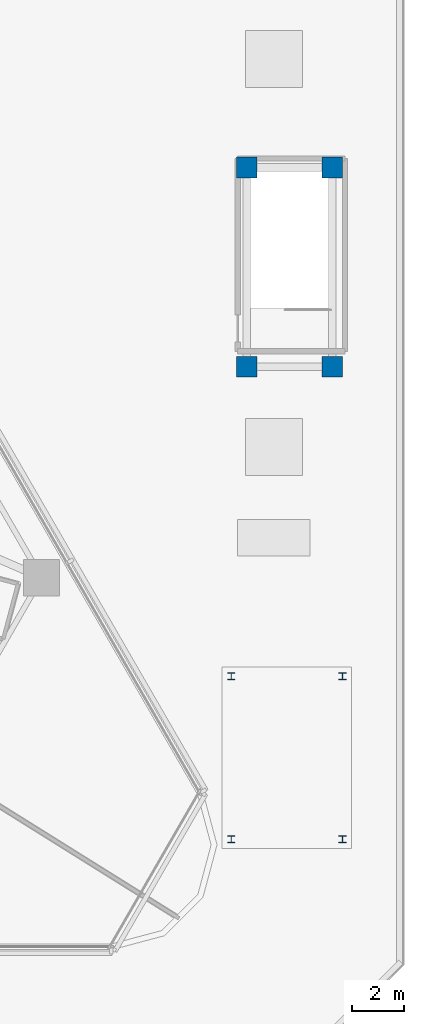
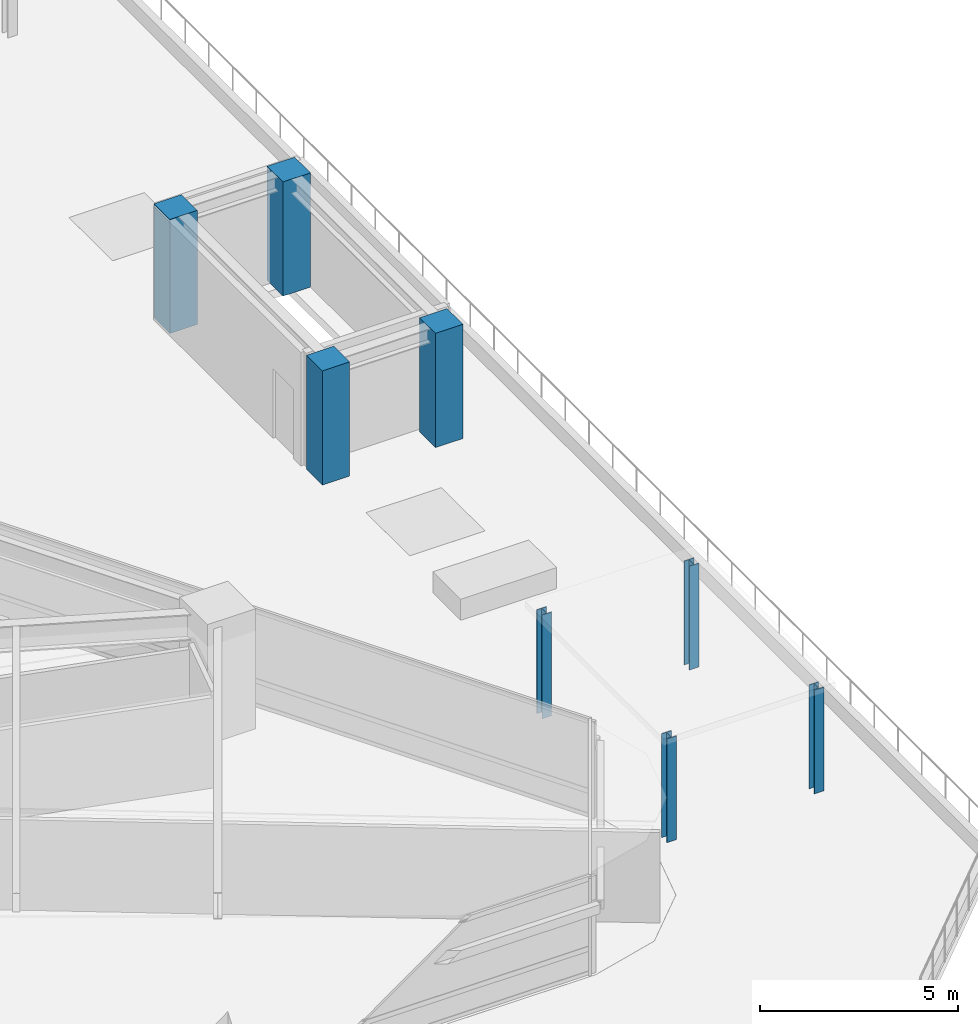
# One storey, part 5 of 23: 8 columns.
"""IFC4 building model written with IfcOpenShell, lengths in metres."""

from ifc_helpers import new_model, si_unit, direction, frame, origin, origin_2d, place, context, subcontext, project, spatial, rectangle, i_section, extrude, material, material_profile, profile_set, type_object, element, save


model = new_model("IFC4")

# Units and contexts
model_context = context("Model", 3, precision=1e-05, world=origin(), true_north=direction((0.0, 1.0)))
body_context = subcontext(model_context, "Body", "Model", "MODEL_VIEW")
ifc_project = project(units=[si_unit("LENGTHUNIT", "METRE"), si_unit("AREAUNIT", "SQUARE_METRE"), si_unit("VOLUMEUNIT", "CUBIC_METRE"), si_unit("PLANEANGLEUNIT", "RADIAN"), si_unit("MASSUNIT", "GRAM", prefix="KILO")], contexts=[model_context])

# Site, building, storey
site_placement = place(None, origin())
site = spatial("IfcSite", under=ifc_project, at=site_placement, CompositionType="ELEMENT")
building_placement = place(site_placement, origin())
building = spatial("IfcBuilding", under=site, at=building_placement, Name="Terralouvre Media Tower", CompositionType="ELEMENT")
storey_placement = place(building_placement, frame((0.0, 0.0, 26.0)))
storey = spatial("IfcBuildingStorey", under=building, at=storey_placement, Name="L05", CompositionType="ELEMENT", Elevation=26.0)

# Columns
ifc_material_1 = material(Name="Structural steel S355J2", Category="steel")
ifc_material_profile_1 = material_profile(ifc_material_1, i_section(OverallWidth=0.280029296875, OverallDepth=0.280029296875, WebThickness=0.010498046875, FlangeThickness=0.01806640625, at=origin_2d()), Name="HEB 280")
ifc_profile_set_1 = profile_set([ifc_material_profile_1], Name="Structural steel S355J2")
column_type_1 = type_object("IfcColumnType", Name="Basement Aisle Pilaster PL-HEB280 (HEB 280)", PredefinedType="PILASTER", material=ifc_profile_set_1)
for number, where, z_axis, x_axis, name in (
    (1, (30.35009765625, -14.64990234375, 0.0), (0.0, 0.0, 1.0), (1.0, 0.0, 0.0), "East Garden Terracotta Pergola Roof Support Post 1"),
    (2, (34.64990234375, -14.64990234375, 0.0), (0.0, 0.0, 1.0), (1.0, 0.0, 0.0), "East Garden Terracotta Pergola Roof Support Post 2"),
    (3, (34.64990234375, -8.35009765625, 0.0), (0.0, 0.0, 1.0), (1.0, 0.0, 0.0), "East Garden Terracotta Pergola Roof Support Post 3"),
    (4, (30.35009765625, -8.35009765625, 0.0), (0.0, 0.0, 1.0), (1.0, 0.0, 0.0), "East Garden Terracotta Pergola Roof Support Post 4"),
):
    element("IfcColumn", number, at=place(storey_placement, frame(where, z_axis=z_axis, x_axis=x_axis)), inside=storey, type_object=column_type_1, Name=name, PredefinedType="PILASTER", context=body_context, shape_type="SweptSolid", body=[
        extrude(i_section(OverallWidth=0.280029296875, OverallDepth=0.280029296875, WebThickness=0.010498046875, FlangeThickness=0.01806640625, at=origin_2d()), origin(), (0.0, 0.0, 1.0), 3.199951171875),
    ])
ifc_material_2 = material(Name="Concrete C50/60", Category="concrete")
ifc_material_profile_2 = material_profile(ifc_material_2, rectangle(XDim=0.800048828125, YDim=0.800048828125, at=origin_2d()), Name="RC 800x800")
ifc_profile_set_2 = profile_set([ifc_material_profile_2], Name="Concrete C50/60")
column_type_2 = type_object("IfcColumnType", Name="Structural Column C-RC800 (RC 800x800)", PredefinedType="COLUMN", material=ifc_profile_set_2)
for number, where, z_axis, x_axis, name in (
    (5, (30.949951171875, 3.60009765625, 0.0), (0.0, 0.0, 1.0), (1.0, 0.0, 0.0), "L05 Stair Pavilion Support Column ST4C1"),
    (6, (34.25, 3.60009765625, 0.0), (0.0, 0.0, 1.0), (1.0, 0.0, 0.0), "L05 Stair Pavilion Support Column ST4C2"),
    (7, (34.25, 11.300048828125, 0.0), (0.0, 0.0, 1.0), (1.0, 0.0, 0.0), "L05 Stair Pavilion Support Column ST4C3"),
    (8, (30.949951171875, 11.300048828125, 0.0), (0.0, 0.0, 1.0), (1.0, 0.0, 0.0), "L05 Stair Pavilion Support Column ST4C4"),
):
    element("IfcColumn", number, at=place(storey_placement, frame(where, z_axis=z_axis, x_axis=x_axis)), inside=storey, type_object=column_type_2, Name=name, PredefinedType="COLUMN", context=body_context, shape_type="SweptSolid", body=[
        extrude(rectangle(XDim=0.800048828125, YDim=0.800048828125, at=origin_2d()), origin(), (0.0, 0.0, 1.0), 3.52001953125),
    ])

save(model, "model.ifc")
